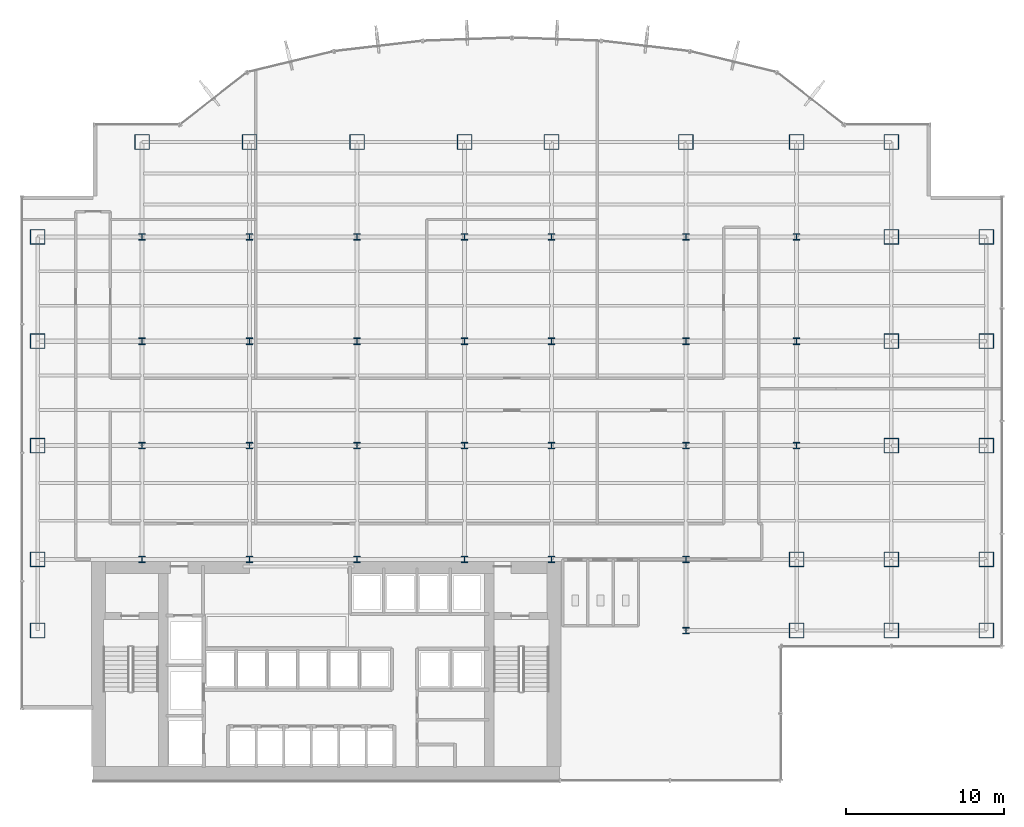
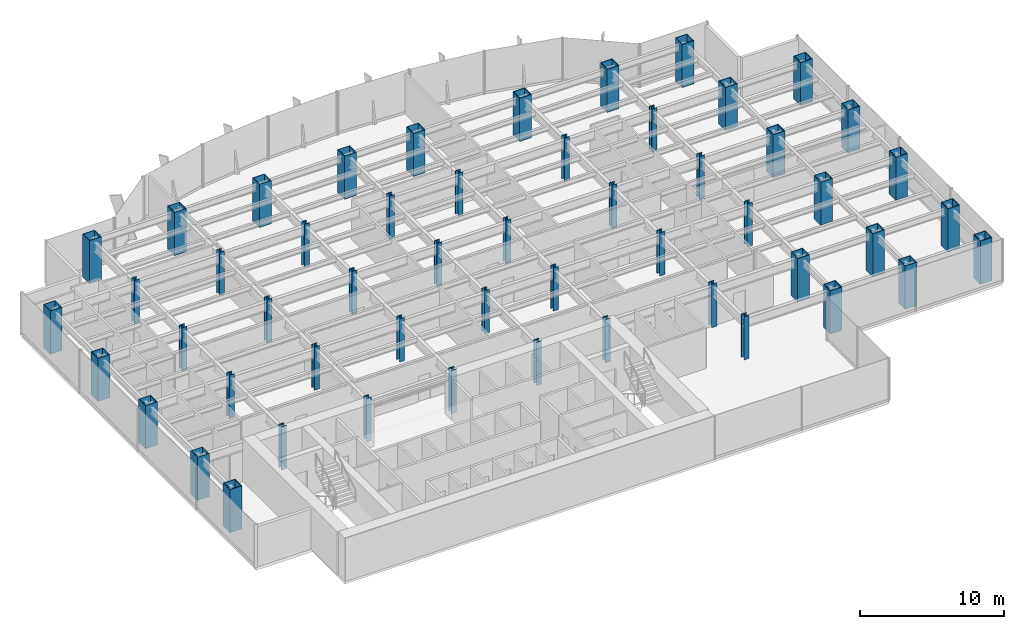
# One storey, part 1 of 22: 53 columns.
"""IFC4 building model written with IfcOpenShell, lengths in metres."""

from ifc_helpers import new_model, si_unit, derived_unit, direction, frame, origin, origin_2d, place, context, subcontext, project, spatial, hollow_rectangle, i_section, extrude, source, transform, mapped, material, material_profile, profile_set, type_object, element, save


model = new_model("IFC4")

# Units and contexts
model_context = context("Model", 3, precision=1e-05, world=origin(), true_north=direction((0.0, 1.0)))
body_context = subcontext(model_context, "Body", "Model", "MODEL_VIEW")
ifc_project = project(units=[si_unit("LENGTHUNIT", "METRE"), si_unit("AREAUNIT", "SQUARE_METRE"), si_unit("VOLUMEUNIT", "CUBIC_METRE"), si_unit("PLANEANGLEUNIT", "RADIAN"), si_unit("MASSUNIT", "GRAM", prefix="KILO"), derived_unit("THERMALTRANSMITTANCEUNIT", [(si_unit("POWERUNIT", "WATT"), 1), (si_unit("LENGTHUNIT", "METRE"), -2), (si_unit("THERMODYNAMICTEMPERATUREUNIT", "KELVIN"), -1)])], contexts=[model_context])

# Site, building, storey
site_placement = place(None, origin())
site = spatial("IfcSite", under=ifc_project, at=site_placement, CompositionType="ELEMENT")
building_placement = place(site_placement, origin())
building = spatial("IfcBuilding", under=site, at=building_placement, Name="Skarnbrae Concourse Arena and Tower", CompositionType="ELEMENT")
storey_placement = place(building_placement, frame((0.0, 0.0, 32.5)))
storey = spatial("IfcBuildingStorey", under=building, at=storey_placement, Name="L06", CompositionType="ELEMENT", Elevation=32.5)

# Columns
ifc_material = material(Name="Steel CSA G40.21 350W", Category="steel")
ifc_material_profile_1 = material_profile(ifc_material, hollow_rectangle(XDim=0.949951171875, YDim=0.949951171875, WallThickness=0.044921875, at=origin_2d()), Name="BOX950X950X45")
ifc_profile_set_1 = profile_set([ifc_material_profile_1], Name="Steel CSA G40.21 350W")
column_type_1 = type_object("IfcColumnType", Name="COL-TUBE-BOX950", PredefinedType="COLUMN", material=ifc_profile_set_1)
shared_shape_1 = source(origin(), body_context, "Body", "SweptSolid", [
    extrude(hollow_rectangle(XDim=0.949951171875, YDim=0.949951171875, WallThickness=0.044921875, at=origin_2d()), origin(), (0.0, 0.0, 1.0), 3.64990234375),
])
for number, where, z_axis, x_axis, name in (
    (1, (1.0, 9.5, 0.0), (0.0, 0.0, 1.0), (1.0, 0.0, 0.0), "L06 Tower column PC_01_01"),
    (2, (1.0, 14.0, 0.0), (0.0, 0.0, 1.0), (1.0, 0.0, 0.0), "L06 Tower column PC_01_02"),
    (3, (1.0, 21.199951171875, 0.0), (0.0, 0.0, 1.0), (1.0, 0.0, 0.0), "L06 Tower column PC_01_03"),
    (4, (1.0, 27.800048828125, 0.0), (0.0, 0.0, 1.0), (1.0, 0.0, 0.0), "L06 Tower column PC_01_04"),
    (5, (1.0, 34.39990234375, 0.0), (0.0, 0.0, 1.0), (1.0, 0.0, 0.0), "L06 Tower column PC_01_05"),
    (6, (7.60009765625, 40.39990234375, 0.0), (0.0, 0.0, 1.0), (1.0, 0.0, 0.0), "L06 Tower column PC_02_06"),
    (7, (14.39990234375, 40.39990234375, 0.0), (0.0, 0.0, 1.0), (1.0, 0.0, 0.0), "L06 Tower column PC_03_06"),
    (8, (21.199951171875, 40.39990234375, 0.0), (0.0, 0.0, 1.0), (1.0, 0.0, 0.0), "L06 Tower column PC_04_06"),
    (9, (28.0, 40.39990234375, 0.0), (0.0, 0.0, 1.0), (1.0, 0.0, 0.0), "L06 Tower column PC_05_06"),
    (10, (33.5, 40.39990234375, 0.0), (0.0, 0.0, 1.0), (1.0, 0.0, 0.0), "L06 Tower column PC_06_06"),
    (11, (42.0, 40.39990234375, 0.0), (0.0, 0.0, 1.0), (1.0, 0.0, 0.0), "L06 Tower column PC_07_06"),
    (12, (49.0, 9.5, 0.0), (0.0, 0.0, 1.0), (1.0, 0.0, 0.0), "L06 Tower column PC_08_01"),
    (13, (49.0, 14.0, 0.0), (0.0, 0.0, 1.0), (1.0, 0.0, 0.0), "L06 Tower column PC_08_02"),
    (14, (49.0, 40.39990234375, 0.0), (0.0, 0.0, 1.0), (1.0, 0.0, 0.0), "L06 Tower column PC_08_06"),
    (15, (55.0, 9.5, 0.0), (0.0, 0.0, 1.0), (1.0, 0.0, 0.0), "L06 Tower column PC_09_01"),
    (16, (55.0, 14.0, 0.0), (0.0, 0.0, 1.0), (1.0, 0.0, 0.0), "L06 Tower column PC_09_02"),
    (17, (55.0, 21.199951171875, 0.0), (0.0, 0.0, 1.0), (1.0, 0.0, 0.0), "L06 Tower column PC_09_03"),
    (18, (55.0, 27.800048828125, 0.0), (0.0, 0.0, 1.0), (1.0, 0.0, 0.0), "L06 Tower column PC_09_04"),
    (19, (55.0, 34.39990234375, 0.0), (0.0, 0.0, 1.0), (1.0, 0.0, 0.0), "L06 Tower column PC_09_05"),
    (20, (55.0, 40.39990234375, 0.0), (0.0, 0.0, 1.0), (1.0, 0.0, 0.0), "L06 Tower column PC_09_06"),
    (21, (61.0, 9.5, 0.0), (0.0, 0.0, 1.0), (1.0, 0.0, 0.0), "L06 Tower column PC_10_01"),
    (22, (61.0, 14.0, 0.0), (0.0, 0.0, 1.0), (1.0, 0.0, 0.0), "L06 Tower column PC_10_02"),
    (23, (61.0, 21.199951171875, 0.0), (0.0, 0.0, 1.0), (1.0, 0.0, 0.0), "L06 Tower column PC_10_03"),
    (24, (61.0, 27.800048828125, 0.0), (0.0, 0.0, 1.0), (1.0, 0.0, 0.0), "L06 Tower column PC_10_04"),
    (25, (61.0, 34.39990234375, 0.0), (0.0, 0.0, 1.0), (1.0, 0.0, 0.0), "L06 Tower column PC_10_05"),
):
    element("IfcColumn", number, at=place(storey_placement, frame(where, z_axis=z_axis, x_axis=x_axis)), inside=storey, type_object=column_type_1, Name=name, PredefinedType="COLUMN", context=body_context, shape_type="MappedRepresentation", body=[
        mapped(shared_shape_1, transform((0.0, 0.0, 0.0))),
    ])
ifc_material_profile_2 = material_profile(ifc_material, i_section(OverallWidth=0.406005859375, OverallDepth=0.416015625, WebThickness=0.02978515625, FlangeThickness=0.048095703125, at=origin_2d()), Name="W360X382")
ifc_profile_set_2 = profile_set([ifc_material_profile_2], Name="Steel CSA G40.21 350W")
column_type_2 = type_object("IfcColumnType", Name="COL-INT-W360X382", PredefinedType="COLUMN", material=ifc_profile_set_2)
shared_shape_2 = source(origin(), body_context, "Body", "SweptSolid", [
    extrude(i_section(OverallWidth=0.406005859375, OverallDepth=0.416015625, WebThickness=0.02978515625, FlangeThickness=0.048095703125, at=origin_2d()), origin(), (0.0, 0.0, 1.0), 3.64990234375),
])
for number, where, z_axis, x_axis, name in (
    (26, (7.60009765625, 14.0, 0.0), (0.0, 0.0, 1.0), (1.0, 0.0, 0.0), "L06 Tower column IC_02_02"),
    (27, (7.60009765625, 21.199951171875, 0.0), (0.0, 0.0, 1.0), (1.0, 0.0, 0.0), "L06 Tower column IC_02_03"),
    (28, (7.60009765625, 27.800048828125, 0.0), (0.0, 0.0, 1.0), (1.0, 0.0, 0.0), "L06 Tower column IC_02_04"),
    (29, (7.60009765625, 34.39990234375, 0.0), (0.0, 0.0, 1.0), (1.0, 0.0, 0.0), "L06 Tower column IC_02_05"),
    (30, (14.39990234375, 14.0, 0.0), (0.0, 0.0, 1.0), (1.0, 0.0, 0.0), "L06 Tower column IC_03_02"),
    (31, (14.39990234375, 21.199951171875, 0.0), (0.0, 0.0, 1.0), (1.0, 0.0, 0.0), "L06 Tower column IC_03_03"),
    (32, (14.39990234375, 27.800048828125, 0.0), (0.0, 0.0, 1.0), (1.0, 0.0, 0.0), "L06 Tower column IC_03_04"),
    (33, (14.39990234375, 34.39990234375, 0.0), (0.0, 0.0, 1.0), (1.0, 0.0, 0.0), "L06 Tower column IC_03_05"),
    (34, (21.199951171875, 14.0, 0.0), (0.0, 0.0, 1.0), (1.0, 0.0, 0.0), "L06 Tower column IC_04_02"),
    (35, (21.199951171875, 21.199951171875, 0.0), (0.0, 0.0, 1.0), (1.0, 0.0, 0.0), "L06 Tower column IC_04_03"),
    (36, (21.199951171875, 27.800048828125, 0.0), (0.0, 0.0, 1.0), (1.0, 0.0, 0.0), "L06 Tower column IC_04_04"),
    (37, (21.199951171875, 34.39990234375, 0.0), (0.0, 0.0, 1.0), (1.0, 0.0, 0.0), "L06 Tower column IC_04_05"),
    (38, (28.0, 14.0, 0.0), (0.0, 0.0, 1.0), (1.0, 0.0, 0.0), "L06 Tower column IC_05_02"),
    (39, (28.0, 21.199951171875, 0.0), (0.0, 0.0, 1.0), (1.0, 0.0, 0.0), "L06 Tower column IC_05_03"),
    (40, (28.0, 27.800048828125, 0.0), (0.0, 0.0, 1.0), (1.0, 0.0, 0.0), "L06 Tower column IC_05_04"),
    (41, (28.0, 34.39990234375, 0.0), (0.0, 0.0, 1.0), (1.0, 0.0, 0.0), "L06 Tower column IC_05_05"),
    (42, (33.5, 14.0, 0.0), (0.0, 0.0, 1.0), (1.0, 0.0, 0.0), "L06 Tower column IC_06_02"),
    (43, (33.5, 21.199951171875, 0.0), (0.0, 0.0, 1.0), (1.0, 0.0, 0.0), "L06 Tower column IC_06_03"),
    (44, (33.5, 27.800048828125, 0.0), (0.0, 0.0, 1.0), (1.0, 0.0, 0.0), "L06 Tower column IC_06_04"),
    (45, (33.5, 34.39990234375, 0.0), (0.0, 0.0, 1.0), (1.0, 0.0, 0.0), "L06 Tower column IC_06_05"),
    (46, (42.0, 9.5, 0.0), (0.0, 0.0, 1.0), (1.0, 0.0, 0.0), "L06 Tower column IC_07_01"),
    (47, (42.0, 14.0, 0.0), (0.0, 0.0, 1.0), (1.0, 0.0, 0.0), "L06 Tower column IC_07_02"),
    (48, (42.0, 21.199951171875, 0.0), (0.0, 0.0, 1.0), (1.0, 0.0, 0.0), "L06 Tower column IC_07_03"),
    (49, (42.0, 27.800048828125, 0.0), (0.0, 0.0, 1.0), (1.0, 0.0, 0.0), "L06 Tower column IC_07_04"),
    (50, (42.0, 34.39990234375, 0.0), (0.0, 0.0, 1.0), (1.0, 0.0, 0.0), "L06 Tower column IC_07_05"),
    (51, (49.0, 21.199951171875, 0.0), (0.0, 0.0, 1.0), (1.0, 0.0, 0.0), "L06 Tower column IC_08_03"),
    (52, (49.0, 27.800048828125, 0.0), (0.0, 0.0, 1.0), (1.0, 0.0, 0.0), "L06 Tower column IC_08_04"),
    (53, (49.0, 34.39990234375, 0.0), (0.0, 0.0, 1.0), (1.0, 0.0, 0.0), "L06 Tower column IC_08_05"),
):
    element("IfcColumn", number, at=place(storey_placement, frame(where, z_axis=z_axis, x_axis=x_axis)), inside=storey, type_object=column_type_2, Name=name, PredefinedType="COLUMN", context=body_context, shape_type="MappedRepresentation", body=[
        mapped(shared_shape_2, transform((0.0, 0.0, 0.0))),
    ])

save(model, "model.ifc")
